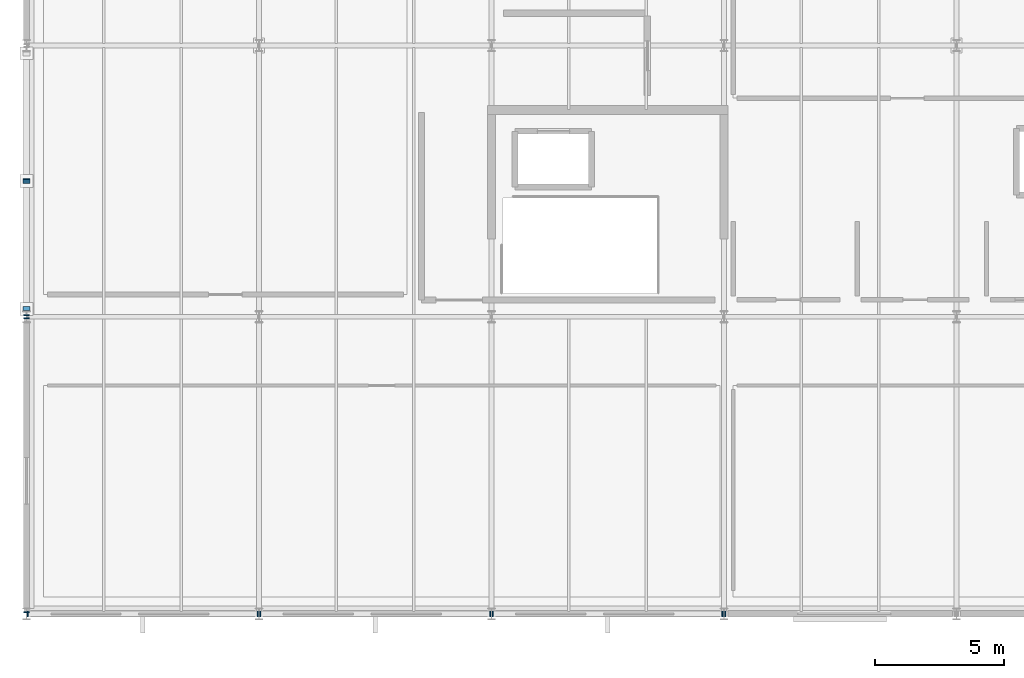
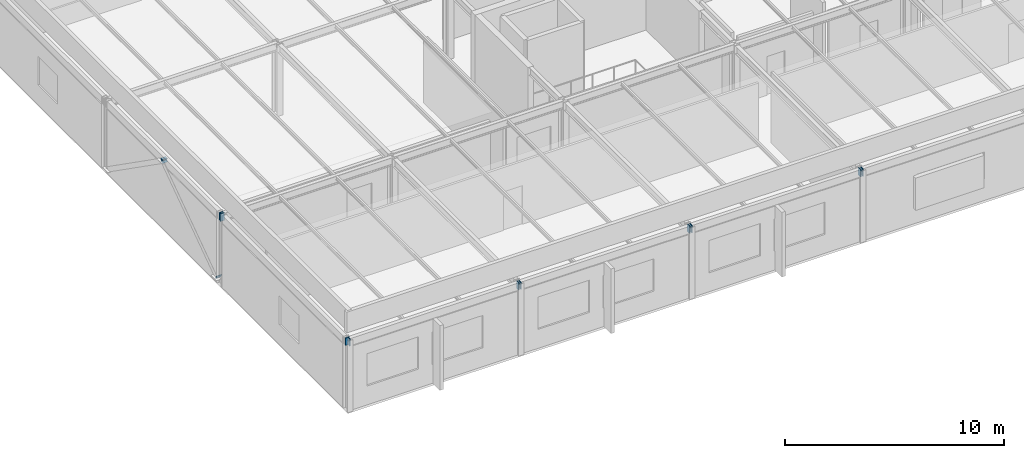
# One storey, part 9 of 14: 13 discrete accessories.
"""IFC4 building model written with IfcOpenShell, lengths in metres."""

from ifc_helpers import new_model, si_unit, direction, frame, origin, origin_2d, place, context, subcontext, project, spatial, rectangle, extrude, material, element, save


model = new_model("IFC4")

# Units and contexts
model_context = context("Model", 3, precision=1e-05, world=origin(), true_north=direction((0.0, 1.0)))
body_context = subcontext(model_context, "Body", "Model", "MODEL_VIEW")
ifc_project = project(units=[si_unit("LENGTHUNIT", "METRE"), si_unit("AREAUNIT", "SQUARE_METRE"), si_unit("VOLUMEUNIT", "CUBIC_METRE"), si_unit("PLANEANGLEUNIT", "RADIAN"), si_unit("MASSUNIT", "GRAM", prefix="KILO")], contexts=[model_context])

# Site, building, storey
site_placement = place(None, origin())
site = spatial("IfcSite", under=ifc_project, at=site_placement, CompositionType="ELEMENT")
building_placement = place(site_placement, origin())
building = spatial("IfcBuilding", under=site, at=building_placement, Name="Marlcrest Central Station", CompositionType="ELEMENT")
storey_placement = place(building_placement, frame((0.0, 0.0, 24.0)))
storey = spatial("IfcBuildingStorey", under=building, at=storey_placement, Name="L05", CompositionType="ELEMENT", Elevation=24.0)

# Discrete accessories
ifc_material = material(Name="Steel S355", Category="steel")
for number, where, z_axis, x_axis, name in (
    (1, (0.03515625, 99.0, 3.780029296875), (1.0, 0.0, 0.0), (0.0, 1.0, 0.0), "endcap-bm-SP-01-L05-00669-s"),
    (2, (8.925048828125, 99.0, 3.780029296875), (1.0, 0.0, 0.0), (0.0, 1.0, 0.0), "endcap-bm-SP-01-L05-00669-e"),
    (3, (9.03515625, 99.0, 3.780029296875), (1.0, 0.0, 0.0), (0.0, 1.0, 0.0), "endcap-bm-SP-01-L05-00670-s"),
    (4, (17.925048828125, 99.0, 3.780029296875), (1.0, 0.0, 0.0), (0.0, 1.0, 0.0), "endcap-bm-SP-01-L05-00670-e"),
    (5, (18.03515625, 99.0, 3.780029296875), (1.0, 0.0, 0.0), (0.0, 1.0, 0.0), "endcap-bm-SP-01-L05-00671-s"),
    (6, (26.925048828125, 99.0, 3.780029296875), (1.0, 0.0, 0.0), (0.0, 1.0, 0.0), "endcap-bm-SP-01-L05-00671-e"),
    (7, (27.03515625, 99.0, 3.780029296875), (1.0, 0.0, 0.0), (0.0, 1.0, 0.0), "endcap-bm-SP-01-L05-00672-s"),
    (8, (0.0, 99.03515625, 3.780029296875), (0.0, 1.0, 0.0), (-1.0, 0.0, 0.0), "endcap-bm-SP-01-L05-00693-s"),
    (9, (0.0, 110.425048828125, 3.780029296875), (0.0, 1.0, 0.0), (-1.0, 0.0, 0.0), "endcap-bm-SP-01-L05-00693-e"),
    (10, (0.0, 110.53515625, 3.780029296875), (0.0, 1.0, 0.0), (-1.0, 0.0, 0.0), "endcap-bm-SP-01-L05-00694-s"),
):
    element("IfcDiscreteAccessory", number, at=place(storey_placement, frame(where, z_axis=z_axis, x_axis=x_axis)), inside=storey, material=ifc_material, Name=name, ObjectType="END_CAP_PLATE", PredefinedType="BRACKET", context=body_context, shape_type="SweptSolid", body=[
        extrude(rectangle(XDim=0.216064453125, YDim=0.416015625, at=origin_2d()), origin(), (0.0, 0.0, 1.0), 0.0400390625),
    ])
for number, where, z_axis, x_axis, name in (
    (11, (0.0, 110.787841796875, 0.241455078125), (0.0, 0.818064455956, 0.575126547728), (-1.0, 0.0, 0.0), "endcap-mem-BF-02-L05-00011-s"),
    (12, (0.0, 115.7294921875, 3.715576171875), (0.0, 0.818064455956, 0.575126547728), (-1.0, 0.0, 0.0), "endcap-mem-BF-02-L05-00011-e"),
    (13, (0.0, 115.7705078125, 3.715576171875), (0.0, -0.818064455956, 0.575126547728), (1.0, 0.0, 0.0), "endcap-mem-BF-02-L05-00012-e"),
):
    element("IfcDiscreteAccessory", number, at=place(storey_placement, frame(where, z_axis=z_axis, x_axis=x_axis)), inside=storey, material=ifc_material, Name=name, ObjectType="END_CAP_PLATE", PredefinedType="BRACKET", context=body_context, shape_type="SweptSolid", body=[
        extrude(rectangle(XDim=0.26611328125, YDim=0.26611328125, at=origin_2d()), origin(), (0.0, 0.0, 1.0), 0.0400390625),
    ])

save(model, "model.ifc")
